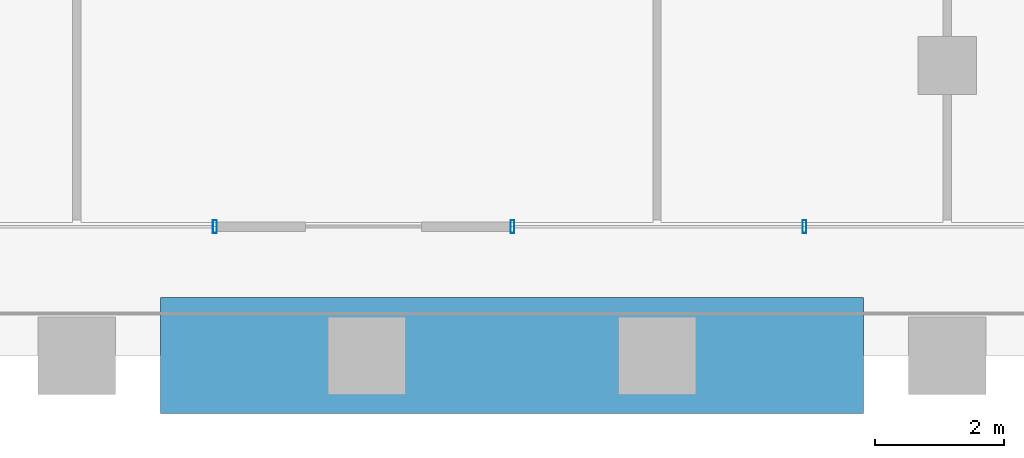
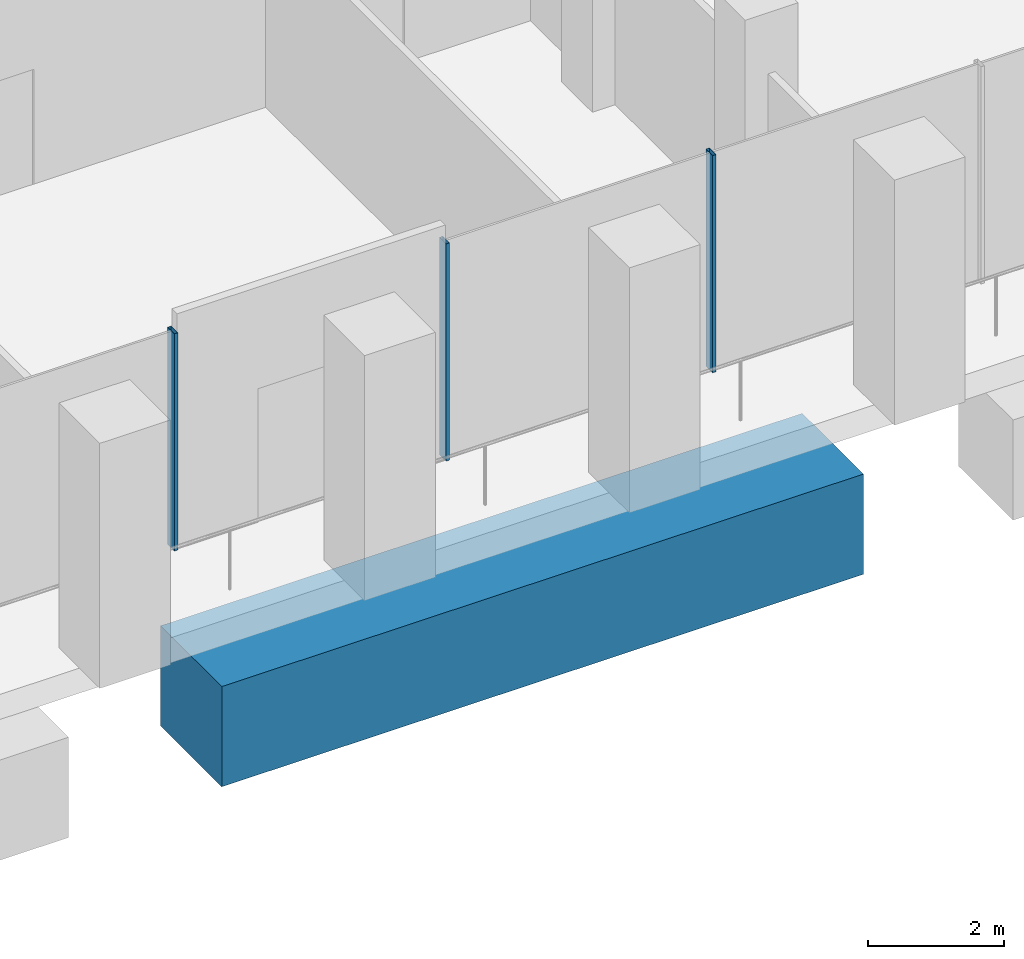
# One storey, part 4 of 32: 3 members, 1 beam, 2 elements without a shape of their own.
"""IFC4 building model written with IfcOpenShell, lengths in metres."""

from ifc_helpers import new_model, si_unit, direction, frame, origin, origin_2d, place, context, subcontext, project, spatial, rectangle, hollow_rectangle, extrude, material, material_profile, profile_set, type_object, element, aggregate, save


model = new_model("IFC4")

# Units and contexts
model_context = context("Model", 3, precision=1e-05, world=origin(), true_north=direction((0.0, 1.0)))
body_context = subcontext(model_context, "Body", "Model", "MODEL_VIEW")
ifc_project = project(units=[si_unit("LENGTHUNIT", "METRE"), si_unit("AREAUNIT", "SQUARE_METRE"), si_unit("VOLUMEUNIT", "CUBIC_METRE"), si_unit("PLANEANGLEUNIT", "RADIAN"), si_unit("MASSUNIT", "GRAM", prefix="KILO")], contexts=[model_context])

# Site, building, storey
site_placement = place(None, origin())
site = spatial("IfcSite", under=ifc_project, at=site_placement, CompositionType="ELEMENT")
building_placement = place(site_placement, origin())
building = spatial("IfcBuilding", under=site, at=building_placement, Name="Altepetl Exchange Towers", CompositionType="ELEMENT")
storey_placement = place(building_placement, frame((0.0, 0.0, 21.0)))
storey = spatial("IfcBuildingStorey", under=building, at=storey_placement, Name="L04", CompositionType="ELEMENT", Elevation=21.0)

# Curtain wall, member
ifc_material_1 = material(Name="Aluminium 6063-T6 glazing", Category="aluminium")
curtain_wall_type = type_object("IfcCurtainWallType", Name="Trading floor glazing system", PredefinedType="NOTDEFINED", material=ifc_material_1)
curtain_wall_1_placement = place(storey_placement, origin())
curtain_wall_1 = element("IfcCurtainWall", 1, at=curtain_wall_1_placement, inside=storey, type_object=curtain_wall_type, Name="CW2 run", PredefinedType="NOTDEFINED")
ifc_material_2 = material(Name="Aluminium 6063-T6", Category="aluminium")
ifc_material_profile_1 = material_profile(ifc_material_2, hollow_rectangle(XDim=0.06005859375, YDim=0.199951171875, WallThickness=0.0029296875, at=origin_2d()), Name="Mullion 60x200 aluminium")
ifc_profile_set_1 = profile_set([ifc_material_profile_1], Name="Aluminium 6063-T6")
member_type = type_object("IfcMemberType", Name="Mullion 60x200 aluminium", PredefinedType="MULLION", material=ifc_profile_set_1)
member_1_placement = place(storey_placement, frame((47.141357421875, 29.0, 0.0)))
member_1 = element("IfcMember", 2, at=member_1_placement, type_object=member_type, Name="MU2 mullion", PredefinedType="MULLION", context=body_context, shape_type="SweptSolid", body=[
    extrude(hollow_rectangle(XDim=0.06005859375, YDim=0.199951171875, WallThickness=0.0029296875, at=origin_2d()), origin(), (0.0, 0.0, 1.0), 3.89990234375),
])
aggregate(curtain_wall_1, [member_1])

# Curtain wall, members
curtain_wall_2_placement = place(storey_placement, origin())
curtain_wall_2 = element("IfcCurtainWall", 3, at=curtain_wall_2_placement, inside=storey, type_object=curtain_wall_type, Name="CW2 run", PredefinedType="NOTDEFINED")
member_2_placement = place(storey_placement, frame((51.758544921875, 29.0, 0.0)))
member_2 = element("IfcMember", 4, at=member_2_placement, type_object=member_type, Name="MU2 mullion", PredefinedType="MULLION", context=body_context, shape_type="SweptSolid", body=[
    extrude(hollow_rectangle(XDim=0.06005859375, YDim=0.199951171875, WallThickness=0.0029296875, at=origin_2d()), origin(), (0.0, 0.0, 1.0), 3.89990234375),
])
member_3_placement = place(storey_placement, frame((56.28564453125, 29.0, 0.0)))
member_3 = element("IfcMember", 5, at=member_3_placement, type_object=member_type, Name="MU2 mullion", PredefinedType="MULLION", context=body_context, shape_type="SweptSolid", body=[
    extrude(hollow_rectangle(XDim=0.06005859375, YDim=0.199951171875, WallThickness=0.0029296875, at=origin_2d()), origin(), (0.0, 0.0, 1.0), 3.89990234375),
])
aggregate(curtain_wall_2, [member_2, member_3])

# Beam
ifc_material_3 = material(Name="Concrete C60/75", Category="concrete")
ifc_material_profile_2 = material_profile(ifc_material_3, rectangle(XDim=1.800048828125, YDim=1.800048828125, at=origin_2d()), Name="1800 x 1800")
ifc_profile_set_2 = profile_set([ifc_material_profile_2], Name="Concrete C60/75")
beam_type = type_object("IfcBeamType", Name="Transfer girder 1800x1800", PredefinedType="BEAM", material=ifc_profile_set_2)
beam_placement = place(storey_placement, frame((46.300048828125, 27.0, -1.35009765625), z_axis=(1.0, 0.0, 0.0), x_axis=(0.0, 1.0, 0.0)))
element("IfcBeam", 6, at=beam_placement, inside=storey, type_object=beam_type, Name="bm:A:L04:tg01", PredefinedType="BEAM", context=body_context, shape_type="SweptSolid", body=[
    extrude(rectangle(XDim=1.800048828125, YDim=1.800048828125, at=origin_2d()), origin(), (0.0, 0.0, 1.0), 10.89990234375),
])

save(model, "model.ifc")
